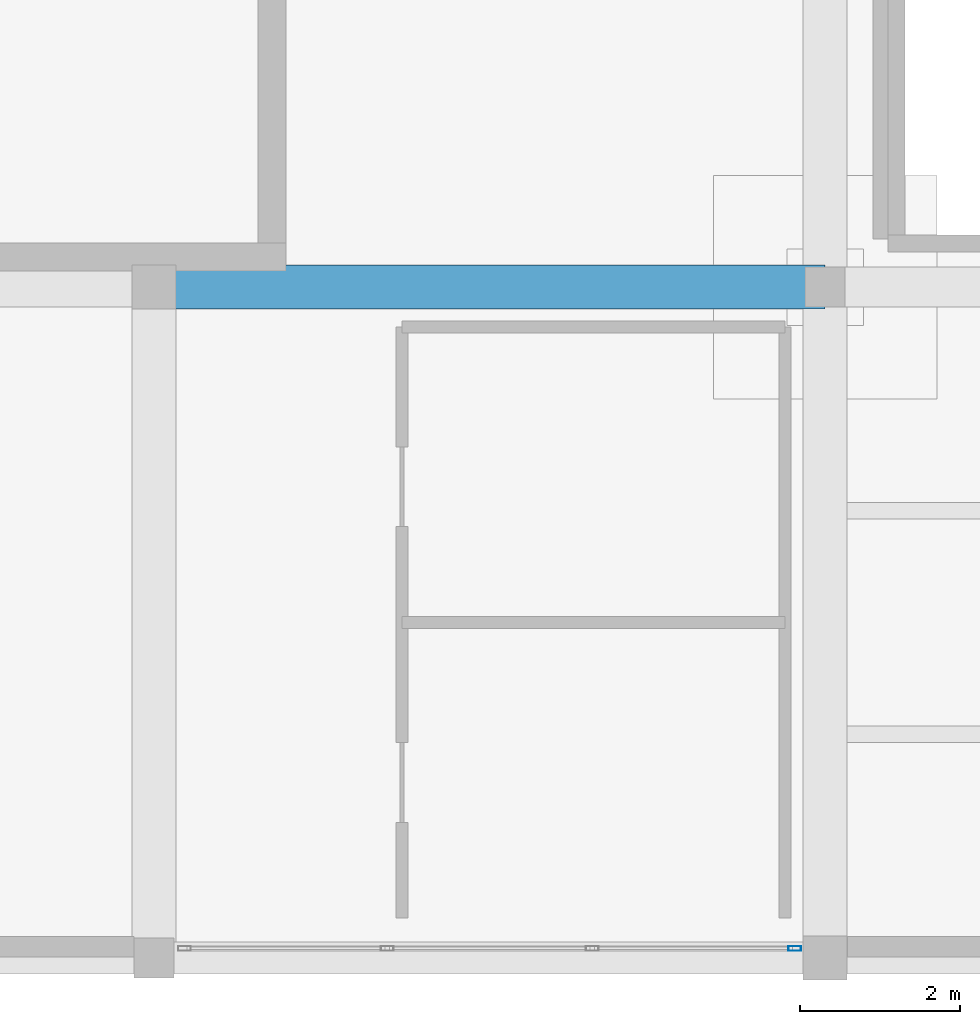
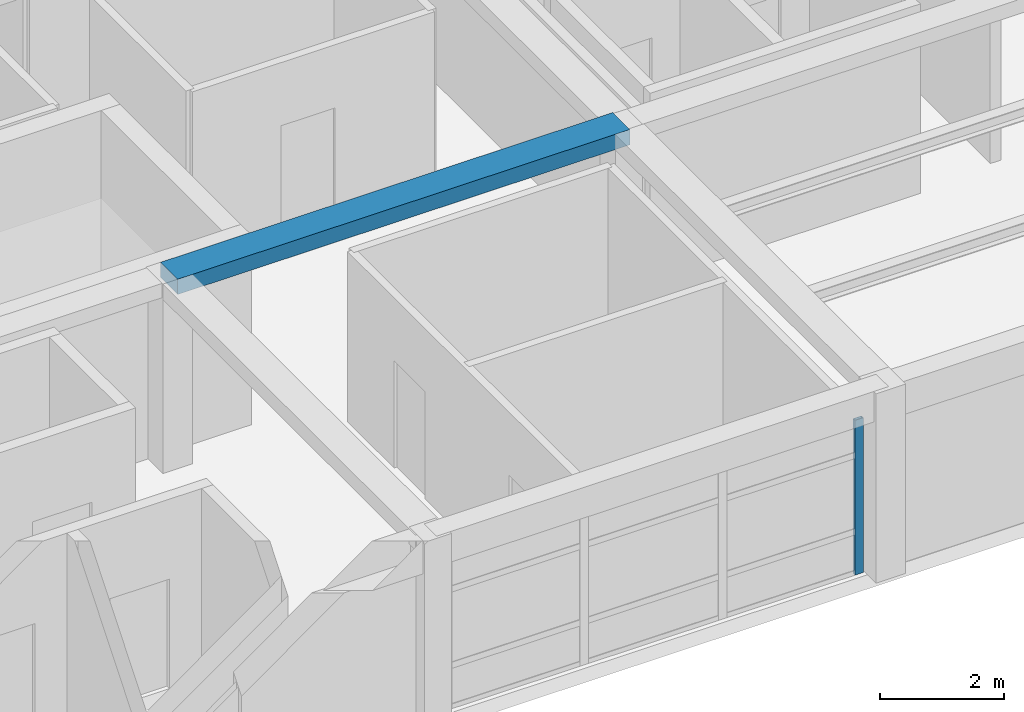
# One storey, part 5 of 20: 1 beam, 1 member, 1 element without a shape of its own.
"""IFC4 building model written with IfcOpenShell, lengths in metres."""

from ifc_helpers import new_model, si_unit, direction, frame, origin, origin_2d, place, context, subcontext, project, spatial, rectangle, hollow_rectangle, extrude, material, material_profile, profile_set, type_object, element, aggregate, save


model = new_model("IFC4")

# Units and contexts
model_context = context("Model", 3, precision=1e-05, world=origin(), true_north=direction((0.0, 1.0)))
body_context = subcontext(model_context, "Body", "Model", "MODEL_VIEW")
ifc_project = project(units=[si_unit("LENGTHUNIT", "METRE"), si_unit("AREAUNIT", "SQUARE_METRE"), si_unit("VOLUMEUNIT", "CUBIC_METRE"), si_unit("PLANEANGLEUNIT", "RADIAN"), si_unit("MASSUNIT", "GRAM", prefix="KILO")], contexts=[model_context])

# Site, building, storey
site_placement = place(None, origin())
site = spatial("IfcSite", under=ifc_project, at=site_placement, CompositionType="ELEMENT")
building_placement = place(site_placement, origin())
building = spatial("IfcBuilding", under=site, at=building_placement, Name="Almacenes y Pasaje Nevantli", CompositionType="ELEMENT")
storey_placement = place(building_placement, frame((0.0, 0.0, 62.699951171875)))
storey = spatial("IfcBuildingStorey", under=building, at=storey_placement, Name="L15", CompositionType="ELEMENT", Elevation=62.699951171875)

# Beam
ifc_material_1 = material(Name="Concrete C35/45", Category="concrete")
ifc_material_profile_1 = material_profile(ifc_material_1, rectangle(XDim=0.550048828125, YDim=0.300048828125, at=origin_2d()), Name="RC-BM-550x300")
ifc_profile_set_1 = profile_set([ifc_material_profile_1], Name="Concrete C35/45")
beam_type = type_object("IfcBeamType", Name="BM-RC-550x300", PredefinedType="BEAM", material=ifc_profile_set_1)
beam_placement = place(storey_placement, frame((126.0, 75.60009765625, 3.570068359375), z_axis=(1.0, 0.0, 0.0), x_axis=(0.0, 1.0, 0.0)))
element("IfcBeam", 1, at=beam_placement, inside=storey, type_object=beam_type, Name="L15 East-West Reinforced Concrete Beam #4019", PredefinedType="BEAM", context=body_context, shape_type="SweptSolid", body=[
    extrude(rectangle(XDim=0.550048828125, YDim=0.300048828125, at=origin_2d()), origin(), (0.0, 0.0, 1.0), 8.39990234375),
])

# Curtain wall, member
ifc_material_2 = material(Name="Thermally Broken Aluminium and Low-E Glass", Category="aluminium")
curtain_wall_type = type_object("IfcCurtainWallType", Name="CW-UNIT-TOWER", PredefinedType="USERDEFINED", material=ifc_material_2)
curtain_wall_placement = place(storey_placement, origin())
curtain_wall = element("IfcCurtainWall", 2, at=curtain_wall_placement, inside=storey, type_object=curtain_wall_type, Name="L15 Tower South Unitized Curtain Wall Bay 16", ObjectType="UNITIZED CURTAIN WALL", PredefinedType="USERDEFINED")
ifc_material_3 = material(Name="Thermally Broken Anodized Aluminium", Category="aluminium")
ifc_material_profile_2 = material_profile(ifc_material_3, hollow_rectangle(XDim=0.06005859375, YDim=0.159912109375, WallThickness=0.00390625, at=origin_2d()), Name="ALU-MUL-60x160")
ifc_profile_set_2 = profile_set([ifc_material_profile_2], Name="Thermally Broken Anodized Aluminium")
member_type = type_object("IfcMemberType", Name="CW-MUL-180", PredefinedType="MULLION", material=ifc_profile_set_2)
member_placement = place(storey_placement, frame((134.02001953125, 67.320068359375, 0.0), z_axis=(0.0, 0.0, 1.0), x_axis=(0.0, 1.0, 0.0)))
member = element("IfcMember", 3, at=member_placement, type_object=member_type, Name="CW-L15-185 mullion 4", PredefinedType="MULLION", context=body_context, shape_type="SweptSolid", body=[
    extrude(hollow_rectangle(XDim=0.06005859375, YDim=0.159912109375, WallThickness=0.00390625, at=origin_2d()), origin(), (0.0, 0.0, 1.0), 3.0400390625),
])
aggregate(curtain_wall, [member])

save(model, "model.ifc")
